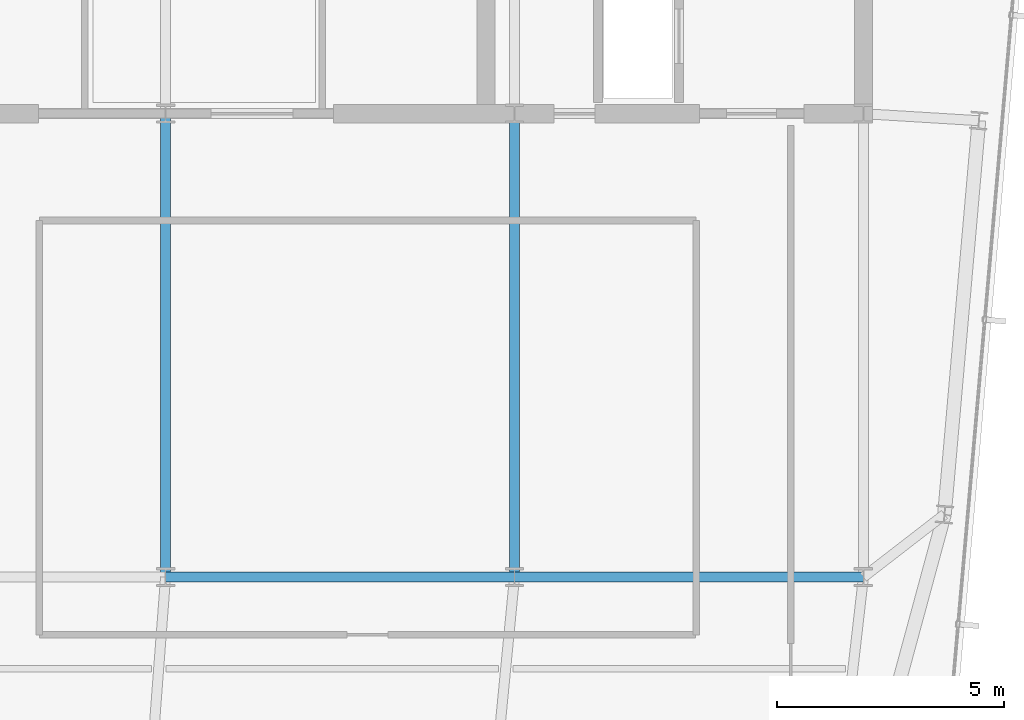
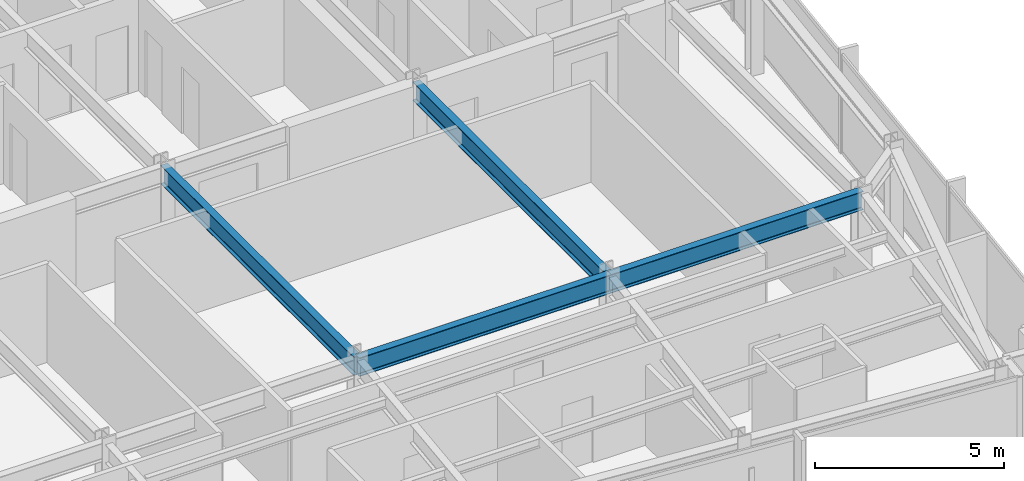
# One storey, part 15 of 32: 4 beams.
"""IFC4 building model written with IfcOpenShell, lengths in metres."""

from ifc_helpers import new_model, si_unit, direction, frame, origin, origin_2d, place, context, subcontext, project, spatial, i_section, extrude, material, material_profile, profile_set, type_object, element, save


model = new_model("IFC4")

# Units and contexts
model_context = context("Model", 3, precision=1e-05, world=origin(), true_north=direction((0.0, 1.0)))
body_context = subcontext(model_context, "Body", "Model", "MODEL_VIEW")
ifc_project = project(units=[si_unit("LENGTHUNIT", "METRE"), si_unit("AREAUNIT", "SQUARE_METRE"), si_unit("VOLUMEUNIT", "CUBIC_METRE"), si_unit("PLANEANGLEUNIT", "RADIAN"), si_unit("MASSUNIT", "GRAM", prefix="KILO")], contexts=[model_context])

# Site, building, storey
site_placement = place(None, origin())
site = spatial("IfcSite", under=ifc_project, at=site_placement, CompositionType="ELEMENT")
building_placement = place(site_placement, origin())
building = spatial("IfcBuilding", under=site, at=building_placement, Name="Yelkora Congress Tower", CompositionType="ELEMENT")
storey_placement = place(building_placement, frame((0.0, 0.0, 276.10009765625)))
storey = spatial("IfcBuildingStorey", under=building, at=storey_placement, Name="L77", CompositionType="ELEMENT", Elevation=276.10009765625)

# Beams
ifc_material = material(Name="Steel S355J2", Category="steel")
ifc_material_profile = material_profile(ifc_material, i_section(OverallWidth=0.219970703125, OverallDepth=0.60009765625, WebThickness=0.011962890625, FlangeThickness=0.01904296875, FilletRadius=0.02392578125, at=origin_2d()), Name="IPE 600")
ifc_profile_set = profile_set([ifc_material_profile], Name="Steel S355J2")
beam_type = type_object("IfcBeamType", Name="BM-GIRD-IPE600", PredefinedType="BEAM", material=ifc_profile_set)
beam_1_placement = place(storey_placement, frame((38.39990234375, 25.199951171875, 2.8798828125), z_axis=(1.0, 0.0, 0.0), x_axis=(0.0, 1.0, 0.0)))
element("IfcBeam", 1, at=beam_1_placement, inside=storey, type_object=beam_type, Name="L77 Spine Grid D Girder 3", PredefinedType="BEAM", context=body_context, shape_type="SweptSolid", body=[
    extrude(i_section(OverallWidth=0.219970703125, OverallDepth=0.60009765625, WebThickness=0.011962890625, FlangeThickness=0.01904296875, FilletRadius=0.02392578125, at=origin_2d()), origin(), (0.0, 0.0, 1.0), 7.68017578125),
])
beam_2_placement = place(storey_placement, frame((46.080078125, 25.199951171875, 2.8798828125), z_axis=(1.0, 0.0, 0.0), x_axis=(0.0, 1.0, 0.0)))
element("IfcBeam", 2, at=beam_2_placement, inside=storey, type_object=beam_type, Name="L77 Spine Grid D Girder 4", PredefinedType="BEAM", context=body_context, shape_type="SweptSolid", body=[
    extrude(i_section(OverallWidth=0.219970703125, OverallDepth=0.60009765625, WebThickness=0.011962890625, FlangeThickness=0.01904296875, FilletRadius=0.02392578125, at=origin_2d()), origin(), (0.0, 0.0, 1.0), 7.679931640625),
])
for number, where, z_axis, x_axis, name in (
    (3, (38.39990234375, 25.199951171875, 2.8798828125), (0.0, 1.0, 0.0), (-1.0, 0.0, 0.0), "L77 Core Tie Girder MC-D3"),
    (4, (46.080078125, 25.199951171875, 2.8798828125), (0.0, 1.0, 0.0), (-1.0, 0.0, 0.0), "L77 Core Tie Girder MC-D4"),
):
    element("IfcBeam", number, at=place(storey_placement, frame(where, z_axis=z_axis, x_axis=x_axis)), inside=storey, type_object=beam_type, Name=name, PredefinedType="BEAM", context=body_context, shape_type="SweptSolid", body=[
        extrude(i_section(OverallWidth=0.219970703125, OverallDepth=0.60009765625, WebThickness=0.011962890625, FlangeThickness=0.01904296875, FilletRadius=0.02392578125, at=origin_2d()), origin(), (0.0, 0.0, 1.0), 10.199951171875),
    ])

save(model, "model.ifc")
